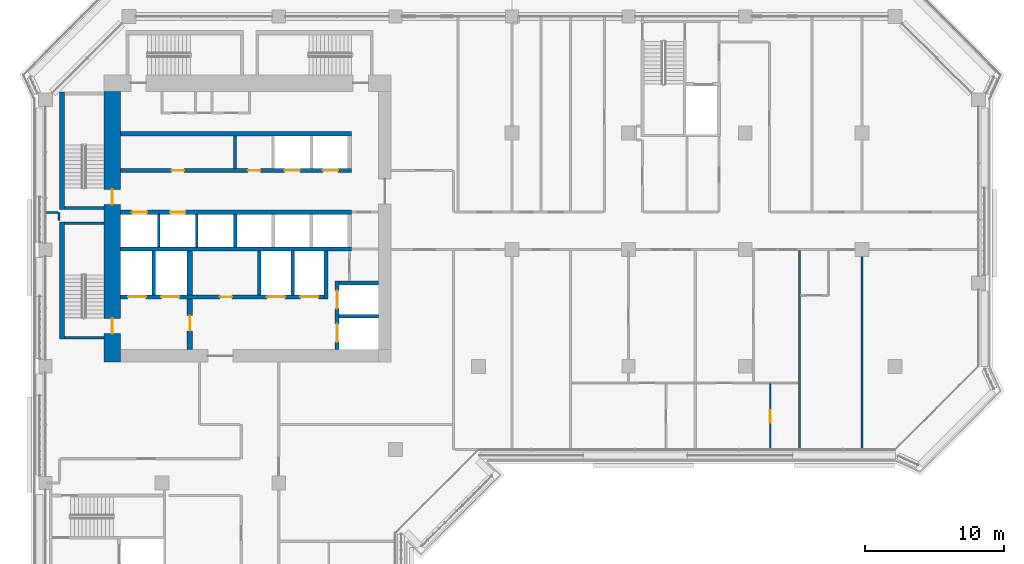
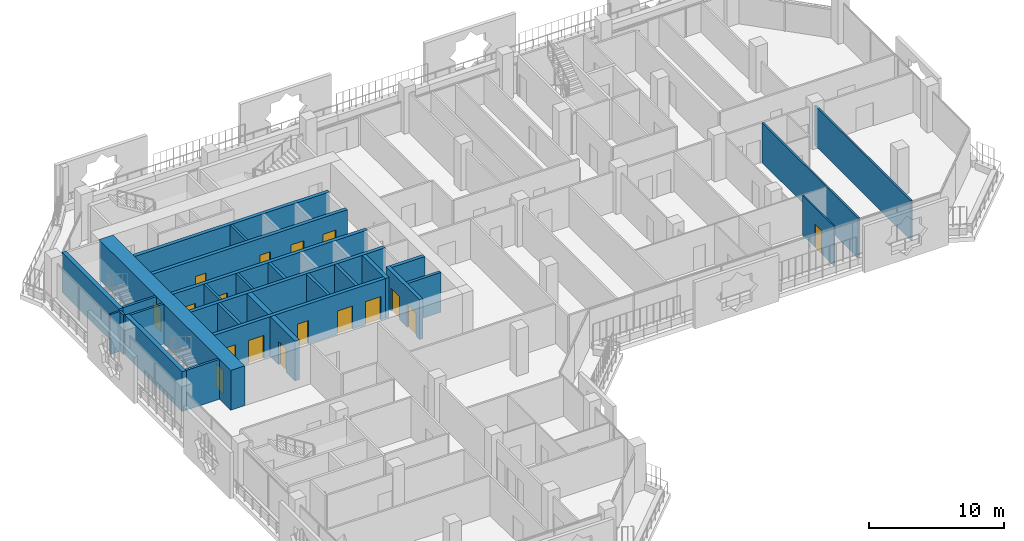
# One storey, part 11 of 22: 29 walls, 17 doors, 17 openings.
"""IFC4 building model written with IfcOpenShell, lengths in metres."""

from ifc_helpers import new_model, si_unit, direction, frame, frame_2d, origin, place, context, subcontext, project, spatial, rectangle, extrude, material, layer, layer_set, type_object, element, fill, save


model = new_model("IFC4")

# Units and contexts
model_context = context("Model", 3, precision=1e-05, world=origin(), true_north=direction((0.0, 1.0)))
body_context = subcontext(model_context, "Body", "Model", "MODEL_VIEW")
ifc_project = project(units=[si_unit("LENGTHUNIT", "METRE"), si_unit("AREAUNIT", "SQUARE_METRE"), si_unit("VOLUMEUNIT", "CUBIC_METRE"), si_unit("PLANEANGLEUNIT", "RADIAN"), si_unit("MASSUNIT", "GRAM", prefix="KILO")], contexts=[model_context])

# Site, building, storey
site_placement = place(None, origin())
site = spatial("IfcSite", under=ifc_project, at=site_placement, CompositionType="ELEMENT")
building_placement = place(site_placement, origin())
building = spatial("IfcBuilding", under=site, at=building_placement, Name="Kawkab Arch Medical Tower", CompositionType="ELEMENT")
storey_placement = place(building_placement, frame((0.0, 0.0, 204.60009765625)))
storey = spatial("IfcBuildingStorey", under=building, at=storey_placement, Name="L47", CompositionType="ELEMENT", Elevation=204.60009765625)

# Wall, openings, doors
ifc_material_1 = material(Name="Concrete C55/67", Category="concrete")
ifc_layer_1 = layer(ifc_material_1, 1.199951171875)
ifc_layer_set_1 = layer_set([ifc_layer_1], Name="Concrete C55/67")
wall_type_1 = type_object("IfcWallType", Name="Core ring wall 1200 C55/67", PredefinedType="SHEAR", material=ifc_layer_set_1)
wall_1_placement = place(storey_placement, frame((4.800048828125, -24.89990234375, 0.0), z_axis=(0.0, 0.0, 1.0), x_axis=(0.0, 1.0, 0.0)))
wall_1 = element("IfcWall", 1, at=wall_1_placement, inside=storey, type_object=wall_type_1, Name="L47 core wall", PredefinedType="SHEAR", context=body_context, shape_type="SweptSolid", body=[
    extrude(rectangle(XDim=19.5, YDim=1.199951171875, at=frame_2d((9.75, 0.0))), origin(), (0.0, 0.0, 1.0), 3.599853515625),
])
opening_1_placement = place(wall_1_placement, frame((11.35009765625, 0.0, 0.0)))
opening_1 = element("IfcOpeningElement", 2, at=opening_1_placement, cuts=wall_1, Name="Opening SD", PredefinedType="OPENING", context=body_context, shape_type="SweptSolid", body=[
    extrude(rectangle(XDim=1.10009765625, YDim=2.10009765625, at=frame_2d((0.550048828125, 1.050048828125))), frame((0.0, 0.60986328125, 0.0), z_axis=(0.0, -1.0, 0.0), x_axis=(1.0, 0.0, 0.0)), (0.0, 0.0, 1.0), 1.219970703125),
])
opening_2_placement = place(wall_1_placement, frame((2.050048828125, 0.0, 0.0)))
opening_2 = element("IfcOpeningElement", 3, at=opening_2_placement, cuts=wall_1, Name="Opening SD", PredefinedType="OPENING", context=body_context, shape_type="SweptSolid", body=[
    extrude(rectangle(XDim=1.10009765625, YDim=2.10009765625, at=frame_2d((0.550048828125, 1.050048828125))), frame((0.0, 0.60986328125, 0.0), z_axis=(0.0, -1.0, 0.0), x_axis=(1.0, 0.0, 0.0)), (0.0, 0.0, 1.0), 1.219970703125),
])
ifc_material_2 = material(Name="Hollow metal fire door leaf")
door_type_1 = type_object("IfcDoorType", Name="Exit stair door 1100", OperationType="SINGLE_SWING_LEFT", PredefinedType="DOOR", material=ifc_material_2)
door_1_placement = place(opening_1_placement, origin())
door_1 = element("IfcDoor", 4, at=door_1_placement, inside=storey, type_object=door_type_1, Name="L47 Exit stair ST1 door", OperationType="SINGLE_SWING_LEFT", OverallHeight=2.10009765625, OverallWidth=1.10009765625, PredefinedType="DOOR", context=body_context, shape_type="SweptSolid", body=[
    extrude(rectangle(XDim=1.10009765625, YDim=2.10009765625, at=frame_2d((0.550048828125, 1.050048828125))), frame((0.0, 0.02490234375, 0.0), z_axis=(0.0, -1.0, 0.0), x_axis=(1.0, 0.0, 0.0)), (0.0, 0.0, 1.0), 0.050048828125),
])
fill(opening_1, door_1)
door_2_placement = place(opening_2_placement, origin())
door_2 = element("IfcDoor", 5, at=door_2_placement, inside=storey, type_object=door_type_1, Name="L47 Exit stair ST2 door", OperationType="SINGLE_SWING_LEFT", OverallHeight=2.10009765625, OverallWidth=1.10009765625, PredefinedType="DOOR", context=body_context, shape_type="SweptSolid", body=[
    extrude(rectangle(XDim=1.10009765625, YDim=2.10009765625, at=frame_2d((0.550048828125, 1.050048828125))), frame((0.0, 0.02490234375, 0.0), z_axis=(0.0, -1.0, 0.0), x_axis=(1.0, 0.0, 0.0)), (0.0, 0.0, 1.0), 0.050048828125),
])
fill(opening_2, door_2)

# Walls
ifc_material_3 = material(Name="Concrete C60/75", Category="concrete")
ifc_layer_2 = layer(ifc_material_3, 0.25)
ifc_layer_set_2 = layer_set([ifc_layer_2], Name="Concrete C60/75")
wall_type_2 = type_object("IfcWallType", Name="Core shear wall 250 C60/75", PredefinedType="SHEAR", material=ifc_layer_set_2)
wall_2_placement = place(storey_placement, frame((21.14990234375, -21.60009765625, 0.0), z_axis=(0.0, 0.0, 1.0), x_axis=(1.0, 0.0, 0.0)))
element("IfcWall", 6, at=wall_2_placement, inside=storey, type_object=wall_type_2, Name="L47 core shear wall", PredefinedType="SHEAR", context=body_context, shape_type="SweptSolid", body=[
    extrude(rectangle(XDim=2.85009765625, YDim=0.25, at=frame_2d((1.425048828125, 0.0))), origin(), (0.0, 0.0, 1.0), 3.599853515625),
])
for number, where, z_axis, x_axis, name in (
    (7, (7.800048828125, -20.050048828125, 0.0), (0.0, 0.0, 1.0), (0.0, 1.0, 0.0), "L47 core shear wall"),
    (8, (15.39990234375, -20.050048828125, 0.0), (0.0, 0.0, 1.0), (0.0, 1.0, 0.0), "L47 core shear wall"),
    (9, (17.800048828125, -20.050048828125, 0.0), (0.0, 0.0, 1.0), (0.0, 1.0, 0.0), "L47 core shear wall"),
):
    element("IfcWall", number, at=place(storey_placement, frame(where, z_axis=z_axis, x_axis=x_axis)), inside=storey, type_object=wall_type_2, Name=name, PredefinedType="SHEAR", context=body_context, shape_type="SweptSolid", body=[
        extrude(rectangle(XDim=3.150146484375, YDim=0.25, at=frame_2d((1.5751953125, 0.0))), origin(), (0.0, 0.0, 1.0), 3.599853515625),
    ])
wall_3_placement = place(storey_placement, frame((13.64990234375, -16.60009765625, 0.0), z_axis=(0.0, 0.0, 1.0), x_axis=(0.0, 1.0, 0.0)))
element("IfcWall", 10, at=wall_3_placement, inside=storey, type_object=wall_type_2, Name="L47 core shear wall", PredefinedType="SHEAR", context=body_context, shape_type="SweptSolid", body=[
    extrude(rectangle(XDim=2.35009765625, YDim=0.25, at=frame_2d((1.175048828125, 0.0))), origin(), (0.0, 0.0, 1.0), 3.599853515625),
])
ifc_material_4 = material(Name="Concrete C60/75", Category="concrete")
ifc_layer_3 = layer(ifc_material_4, 0.300048828125)
ifc_layer_set_3 = layer_set([ifc_layer_3], Name="Concrete C60/75")
wall_type_3 = type_object("IfcWallType", Name="Core shear wall 300 C60/75", PredefinedType="SHEAR", material=ifc_layer_set_3)
wall_4_placement = place(storey_placement, frame((5.39990234375, -8.449951171875, 0.0), z_axis=(0.0, 0.0, 1.0), x_axis=(1.0, 0.0, 0.0)))
element("IfcWall", 11, at=wall_4_placement, inside=storey, type_object=wall_type_3, Name="L47 core shear wall", PredefinedType="SHEAR", context=body_context, shape_type="SweptSolid", body=[
    extrude(rectangle(XDim=16.650146484375, YDim=0.300048828125, at=frame_2d((8.3251953125, 0.0))), origin(), (0.0, 0.0, 1.0), 3.599853515625),
])

# Wall, openings, doors
wall_5_placement = place(storey_placement, frame((5.39990234375, -11.10009765625, 0.0), z_axis=(0.0, 0.0, 1.0), x_axis=(1.0, 0.0, 0.0)))
wall_5 = element("IfcWall", 12, at=wall_5_placement, inside=storey, type_object=wall_type_3, Name="L47 core shear wall", PredefinedType="SHEAR", context=body_context, shape_type="SweptSolid", body=[
    extrude(rectangle(XDim=16.650146484375, YDim=0.300048828125, at=frame_2d((8.3251953125, 0.0))), origin(), (0.0, 0.0, 1.0), 3.599853515625),
])
opening_3_placement = place(wall_5_placement, frame((11.824951171875, 0.0, 0.0)))
opening_3 = element("IfcOpeningElement", 13, at=opening_3_placement, cuts=wall_5, Name="Opening LD1", PredefinedType="OPENING", context=body_context, shape_type="SweptSolid", body=[
    extrude(rectangle(XDim=1.10009765625, YDim=2.10009765625, at=frame_2d((0.550048828125, 1.050048828125))), frame((0.0, 0.159912109375, 0.0), z_axis=(0.0, -1.0, 0.0), x_axis=(1.0, 0.0, 0.0)), (0.0, 0.0, 1.0), 0.320068359375),
])
opening_4_placement = place(wall_5_placement, frame((14.574951171875, 0.0, 0.0)))
opening_4 = element("IfcOpeningElement", 14, at=opening_4_placement, cuts=wall_5, Name="Opening LD1", PredefinedType="OPENING", context=body_context, shape_type="SweptSolid", body=[
    extrude(rectangle(XDim=1.10009765625, YDim=2.10009765625, at=frame_2d((0.550048828125, 1.050048828125))), frame((0.0, 0.159912109375, 0.0), z_axis=(0.0, -1.0, 0.0), x_axis=(1.0, 0.0, 0.0)), (0.0, 0.0, 1.0), 0.320068359375),
])
opening_5_placement = place(wall_5_placement, frame((3.675048828125, 0.0, 0.0)))
opening_5 = element("IfcOpeningElement", 15, at=opening_5_placement, cuts=wall_5, Name="Opening RD", PredefinedType="OPENING", context=body_context, shape_type="SweptSolid", body=[
    extrude(rectangle(XDim=0.89990234375, YDim=2.10009765625, at=frame_2d((0.449951171875, 1.050048828125))), frame((0.0, 0.159912109375, 0.0), z_axis=(0.0, -1.0, 0.0), x_axis=(1.0, 0.0, 0.0)), (0.0, 0.0, 1.0), 0.320068359375),
])
opening_6_placement = place(wall_5_placement, frame((9.175048828125, 0.0, 0.0)))
opening_6 = element("IfcOpeningElement", 16, at=opening_6_placement, cuts=wall_5, Name="Opening RD", PredefinedType="OPENING", context=body_context, shape_type="SweptSolid", body=[
    extrude(rectangle(XDim=0.89990234375, YDim=2.10009765625, at=frame_2d((0.449951171875, 1.050048828125))), frame((0.0, 0.159912109375, 0.0), z_axis=(0.0, -1.0, 0.0), x_axis=(1.0, 0.0, 0.0)), (0.0, 0.0, 1.0), 0.320068359375),
])
ifc_material_5 = material(Name="Hollow metal fire door leaf")
door_type_2 = type_object("IfcDoorType", Name="Core room door 900", OperationType="SINGLE_SWING_LEFT", PredefinedType="DOOR", material=ifc_material_5)
door_3_placement = place(opening_5_placement, origin())
door_3 = element("IfcDoor", 17, at=door_3_placement, inside=storey, type_object=door_type_2, Name="L47 Clean utility room door", OperationType="SINGLE_SWING_LEFT", OverallHeight=2.10009765625, OverallWidth=0.89990234375, PredefinedType="DOOR", context=body_context, shape_type="SweptSolid", body=[
    extrude(rectangle(XDim=0.89990234375, YDim=2.10009765625, at=frame_2d((0.449951171875, 1.050048828125))), frame((0.0, 0.02490234375, 0.0), z_axis=(0.0, -1.0, 0.0), x_axis=(1.0, 0.0, 0.0)), (0.0, 0.0, 1.0), 0.050048828125),
])
fill(opening_5, door_3)
door_4_placement = place(opening_6_placement, origin())
door_4 = element("IfcDoor", 18, at=door_4_placement, inside=storey, type_object=door_type_2, Name="L47 General store door", OperationType="SINGLE_SWING_LEFT", OverallHeight=2.10009765625, OverallWidth=0.89990234375, PredefinedType="DOOR", context=body_context, shape_type="SweptSolid", body=[
    extrude(rectangle(XDim=0.89990234375, YDim=2.10009765625, at=frame_2d((0.449951171875, 1.050048828125))), frame((0.0, 0.02490234375, 0.0), z_axis=(0.0, -1.0, 0.0), x_axis=(1.0, 0.0, 0.0)), (0.0, 0.0, 1.0), 0.050048828125),
])
fill(opening_6, door_4)
ifc_material_6 = material(Name="Stainless steel lift door leaf", Category="steel")
door_type_3 = type_object("IfcDoorType", Name="Lift landing door 1100", OperationType="DOUBLE_DOOR_SLIDING", PredefinedType="DOOR", material=ifc_material_6)
door_5_placement = place(opening_3_placement, origin())
door_5 = element("IfcDoor", 19, at=door_5_placement, inside=storey, type_object=door_type_3, Name="L47 Lift landing door MP1", OperationType="DOUBLE_DOOR_SLIDING", OverallHeight=2.10009765625, OverallWidth=1.10009765625, PredefinedType="DOOR", context=body_context, shape_type="SweptSolid", body=[
    extrude(rectangle(XDim=1.10009765625, YDim=2.10009765625, at=frame_2d((0.550048828125, 1.050048828125))), frame((0.0, 0.02490234375, 0.0), z_axis=(0.0, -1.0, 0.0), x_axis=(1.0, 0.0, 0.0)), (0.0, 0.0, 1.0), 0.050048828125),
])
fill(opening_3, door_5)
door_6_placement = place(opening_4_placement, origin())
door_6 = element("IfcDoor", 20, at=door_6_placement, inside=storey, type_object=door_type_3, Name="L47 Lift landing door MP2", OperationType="DOUBLE_DOOR_SLIDING", OverallHeight=2.10009765625, OverallWidth=1.10009765625, PredefinedType="DOOR", context=body_context, shape_type="SweptSolid", body=[
    extrude(rectangle(XDim=1.10009765625, YDim=2.10009765625, at=frame_2d((0.550048828125, 1.050048828125))), frame((0.0, 0.02490234375, 0.0), z_axis=(0.0, -1.0, 0.0), x_axis=(1.0, 0.0, 0.0)), (0.0, 0.0, 1.0), 0.050048828125),
])
fill(opening_4, door_6)

wall_6_placement = place(storey_placement, frame((5.39990234375, -14.10009765625, 0.0), z_axis=(0.0, 0.0, 1.0), x_axis=(1.0, 0.0, 0.0)))
wall_6 = element("IfcWall", 21, at=wall_6_placement, inside=storey, type_object=wall_type_3, Name="L47 core shear wall", PredefinedType="SHEAR", context=body_context, shape_type="SweptSolid", body=[
    extrude(rectangle(XDim=16.650146484375, YDim=0.300048828125, at=frame_2d((8.3251953125, 0.0))), origin(), (0.0, 0.0, 1.0), 3.599853515625),
])
opening_7_placement = place(wall_6_placement, frame((0.824951171875, 0.0, 0.0)))
opening_7 = element("IfcOpeningElement", 22, at=opening_7_placement, cuts=wall_6, Name="Opening LD1", PredefinedType="OPENING", context=body_context, shape_type="SweptSolid", body=[
    extrude(rectangle(XDim=1.10009765625, YDim=2.10009765625, at=frame_2d((0.550048828125, 1.050048828125))), frame((0.0, 0.159912109375, 0.0), z_axis=(0.0, -1.0, 0.0), x_axis=(1.0, 0.0, 0.0)), (0.0, 0.0, 1.0), 0.320068359375),
])
opening_8_placement = place(wall_6_placement, frame((3.574951171875, 0.0, 0.0)))
opening_8 = element("IfcOpeningElement", 23, at=opening_8_placement, cuts=wall_6, Name="Opening LD1", PredefinedType="OPENING", context=body_context, shape_type="SweptSolid", body=[
    extrude(rectangle(XDim=1.10009765625, YDim=2.10009765625, at=frame_2d((0.550048828125, 1.050048828125))), frame((0.0, 0.159912109375, 0.0), z_axis=(0.0, -1.0, 0.0), x_axis=(1.0, 0.0, 0.0)), (0.0, 0.0, 1.0), 0.320068359375),
])
door_7_placement = place(opening_7_placement, origin())
door_7 = element("IfcDoor", 24, at=door_7_placement, inside=storey, type_object=door_type_3, Name="L47 Lift landing door MP3", OperationType="DOUBLE_DOOR_SLIDING", OverallHeight=2.10009765625, OverallWidth=1.10009765625, PredefinedType="DOOR", context=body_context, shape_type="SweptSolid", body=[
    extrude(rectangle(XDim=1.10009765625, YDim=2.10009765625, at=frame_2d((0.550048828125, 1.050048828125))), frame((0.0, 0.02490234375, 0.0), z_axis=(0.0, -1.0, 0.0), x_axis=(1.0, 0.0, 0.0)), (0.0, 0.0, 1.0), 0.050048828125),
])
fill(opening_7, door_7)
door_8_placement = place(opening_8_placement, origin())
door_8 = element("IfcDoor", 25, at=door_8_placement, inside=storey, type_object=door_type_3, Name="L47 Lift landing door MP4", OperationType="DOUBLE_DOOR_SLIDING", OverallHeight=2.10009765625, OverallWidth=1.10009765625, PredefinedType="DOOR", context=body_context, shape_type="SweptSolid", body=[
    extrude(rectangle(XDim=1.10009765625, YDim=2.10009765625, at=frame_2d((0.550048828125, 1.050048828125))), frame((0.0, 0.02490234375, 0.0), z_axis=(0.0, -1.0, 0.0), x_axis=(1.0, 0.0, 0.0)), (0.0, 0.0, 1.0), 0.050048828125),
])
fill(opening_8, door_8)

# Wall
wall_7_placement = place(storey_placement, frame((5.39990234375, -16.75, 0.0), z_axis=(0.0, 0.0, 1.0), x_axis=(1.0, 0.0, 0.0)))
element("IfcWall", 26, at=wall_7_placement, inside=storey, type_object=wall_type_3, Name="L47 core shear wall", PredefinedType="SHEAR", context=body_context, shape_type="SweptSolid", body=[
    extrude(rectangle(XDim=16.650146484375, YDim=0.300048828125, at=frame_2d((8.3251953125, 0.0))), origin(), (0.0, 0.0, 1.0), 3.599853515625),
])

# Wall, openings, doors
wall_8_placement = place(storey_placement, frame((5.39990234375, -20.199951171875, 0.0), z_axis=(0.0, 0.0, 1.0), x_axis=(1.0, 0.0, 0.0)))
wall_8 = element("IfcWall", 27, at=wall_8_placement, inside=storey, type_object=wall_type_3, Name="L47 core shear wall", PredefinedType="SHEAR", context=body_context, shape_type="SweptSolid", body=[
    extrude(rectangle(XDim=14.650146484375, YDim=0.300048828125, at=frame_2d((7.3251953125, 0.0))), origin(), (0.0, 0.0, 1.0), 3.599853515625),
])
opening_9_placement = place(wall_8_placement, frame((10.550048828125, 0.0, 0.0)))
opening_9 = element("IfcOpeningElement", 28, at=opening_9_placement, cuts=wall_8, Name="Opening LD2", PredefinedType="OPENING", context=body_context, shape_type="SweptSolid", body=[
    extrude(rectangle(XDim=1.300048828125, YDim=2.10009765625, at=frame_2d((0.64990234375, 1.050048828125))), frame((0.0, 0.159912109375, 0.0), z_axis=(0.0, -1.0, 0.0), x_axis=(1.0, 0.0, 0.0)), (0.0, 0.0, 1.0), 0.320068359375),
])
opening_10_placement = place(wall_8_placement, frame((12.949951171875, 0.0, 0.0)))
opening_10 = element("IfcOpeningElement", 29, at=opening_10_placement, cuts=wall_8, Name="Opening LD2", PredefinedType="OPENING", context=body_context, shape_type="SweptSolid", body=[
    extrude(rectangle(XDim=1.300048828125, YDim=2.10009765625, at=frame_2d((0.64990234375, 1.050048828125))), frame((0.0, 0.159912109375, 0.0), z_axis=(0.0, -1.0, 0.0), x_axis=(1.0, 0.0, 0.0)), (0.0, 0.0, 1.0), 0.320068359375),
])
opening_11_placement = place(wall_8_placement, frame((0.550048828125, 0.0, 0.0)))
opening_11 = element("IfcOpeningElement", 30, at=opening_11_placement, cuts=wall_8, Name="Opening LD2", PredefinedType="OPENING", context=body_context, shape_type="SweptSolid", body=[
    extrude(rectangle(XDim=1.300048828125, YDim=2.10009765625, at=frame_2d((0.64990234375, 1.050048828125))), frame((0.0, 0.159912109375, 0.0), z_axis=(0.0, -1.0, 0.0), x_axis=(1.0, 0.0, 0.0)), (0.0, 0.0, 1.0), 0.320068359375),
])
opening_12_placement = place(wall_8_placement, frame((2.949951171875, 0.0, 0.0)))
opening_12 = element("IfcOpeningElement", 31, at=opening_12_placement, cuts=wall_8, Name="Opening LD2", PredefinedType="OPENING", context=body_context, shape_type="SweptSolid", body=[
    extrude(rectangle(XDim=1.300048828125, YDim=2.10009765625, at=frame_2d((0.64990234375, 1.050048828125))), frame((0.0, 0.159912109375, 0.0), z_axis=(0.0, -1.0, 0.0), x_axis=(1.0, 0.0, 0.0)), (0.0, 0.0, 1.0), 0.320068359375),
])
opening_13_placement = place(wall_8_placement, frame((7.14990234375, 0.0, 0.0)))
opening_13 = element("IfcOpeningElement", 32, at=opening_13_placement, cuts=wall_8, Name="Opening RD", PredefinedType="OPENING", context=body_context, shape_type="SweptSolid", body=[
    extrude(rectangle(XDim=0.89990234375, YDim=2.10009765625, at=frame_2d((0.449951171875, 1.050048828125))), frame((0.0, 0.159912109375, 0.0), z_axis=(0.0, -1.0, 0.0), x_axis=(1.0, 0.0, 0.0)), (0.0, 0.0, 1.0), 0.320068359375),
])
door_9_placement = place(opening_13_placement, origin())
door_9 = element("IfcDoor", 33, at=door_9_placement, inside=storey, type_object=door_type_2, Name="L47 Linen store door", OperationType="SINGLE_SWING_LEFT", OverallHeight=2.10009765625, OverallWidth=0.89990234375, PredefinedType="DOOR", context=body_context, shape_type="SweptSolid", body=[
    extrude(rectangle(XDim=0.89990234375, YDim=2.10009765625, at=frame_2d((0.449951171875, 1.050048828125))), frame((0.0, 0.02490234375, 0.0), z_axis=(0.0, -1.0, 0.0), x_axis=(1.0, 0.0, 0.0)), (0.0, 0.0, 1.0), 0.050048828125),
])
fill(opening_13, door_9)
ifc_material_7 = material(Name="Stainless steel lift door leaf", Category="steel")
door_type_4 = type_object("IfcDoorType", Name="Lift landing door 1300", OperationType="DOUBLE_DOOR_SLIDING", PredefinedType="DOOR", material=ifc_material_7)
door_10_placement = place(opening_9_placement, origin())
door_10 = element("IfcDoor", 34, at=door_10_placement, inside=storey, type_object=door_type_4, Name="L47 Lift landing door BD3", OperationType="DOUBLE_DOOR_SLIDING", OverallHeight=2.10009765625, OverallWidth=1.300048828125, PredefinedType="DOOR", context=body_context, shape_type="SweptSolid", body=[
    extrude(rectangle(XDim=1.300048828125, YDim=2.10009765625, at=frame_2d((0.64990234375, 1.050048828125))), frame((0.0, 0.02490234375, 0.0), z_axis=(0.0, -1.0, 0.0), x_axis=(1.0, 0.0, 0.0)), (0.0, 0.0, 1.0), 0.050048828125),
])
fill(opening_9, door_10)
door_11_placement = place(opening_10_placement, origin())
door_11 = element("IfcDoor", 35, at=door_11_placement, inside=storey, type_object=door_type_4, Name="L47 Lift landing door BD4", OperationType="DOUBLE_DOOR_SLIDING", OverallHeight=2.10009765625, OverallWidth=1.300048828125, PredefinedType="DOOR", context=body_context, shape_type="SweptSolid", body=[
    extrude(rectangle(XDim=1.300048828125, YDim=2.10009765625, at=frame_2d((0.64990234375, 1.050048828125))), frame((0.0, 0.02490234375, 0.0), z_axis=(0.0, -1.0, 0.0), x_axis=(1.0, 0.0, 0.0)), (0.0, 0.0, 1.0), 0.050048828125),
])
fill(opening_10, door_11)
door_12_placement = place(opening_11_placement, origin())
door_12 = element("IfcDoor", 36, at=door_12_placement, inside=storey, type_object=door_type_4, Name="L47 Lift landing door FL1", OperationType="DOUBLE_DOOR_SLIDING", OverallHeight=2.10009765625, OverallWidth=1.300048828125, PredefinedType="DOOR", context=body_context, shape_type="SweptSolid", body=[
    extrude(rectangle(XDim=1.300048828125, YDim=2.10009765625, at=frame_2d((0.64990234375, 1.050048828125))), frame((0.0, 0.02490234375, 0.0), z_axis=(0.0, -1.0, 0.0), x_axis=(1.0, 0.0, 0.0)), (0.0, 0.0, 1.0), 0.050048828125),
])
fill(opening_11, door_12)
door_13_placement = place(opening_12_placement, origin())
door_13 = element("IfcDoor", 37, at=door_13_placement, inside=storey, type_object=door_type_4, Name="L47 Lift landing door FL2", OperationType="DOUBLE_DOOR_SLIDING", OverallHeight=2.10009765625, OverallWidth=1.300048828125, PredefinedType="DOOR", context=body_context, shape_type="SweptSolid", body=[
    extrude(rectangle(XDim=1.300048828125, YDim=2.10009765625, at=frame_2d((0.64990234375, 1.050048828125))), frame((0.0, 0.02490234375, 0.0), z_axis=(0.0, -1.0, 0.0), x_axis=(1.0, 0.0, 0.0)), (0.0, 0.0, 1.0), 0.050048828125),
])
fill(opening_12, door_13)

# Walls
wall_9_placement = place(storey_placement, frame((20.199951171875, -20.35009765625, 0.0), z_axis=(0.0, 0.0, 1.0), x_axis=(0.0, 1.0, 0.0)))
element("IfcWall", 38, at=wall_9_placement, inside=storey, type_object=wall_type_3, Name="L47 core shear wall", PredefinedType="SHEAR", context=body_context, shape_type="SweptSolid", body=[
    extrude(rectangle(XDim=3.4501953125, YDim=0.300048828125, at=frame_2d((1.72509765625, 0.0))), origin(), (0.0, 0.0, 1.0), 3.599853515625),
])
wall_10_placement = place(storey_placement, frame((21.14990234375, -19.199951171875, 0.0), z_axis=(0.0, 0.0, 1.0), x_axis=(1.0, 0.0, 0.0)))
element("IfcWall", 39, at=wall_10_placement, inside=storey, type_object=wall_type_3, Name="L47 core shear wall", PredefinedType="SHEAR", context=body_context, shape_type="SweptSolid", body=[
    extrude(rectangle(XDim=2.85009765625, YDim=0.300048828125, at=frame_2d((1.425048828125, 0.0))), origin(), (0.0, 0.0, 1.0), 3.599853515625),
])

# Wall, openings, doors
wall_11_placement = place(storey_placement, frame((21.0, -24.0, 0.0), z_axis=(0.0, 0.0, 1.0), x_axis=(0.0, 1.0, 0.0)))
wall_11 = element("IfcWall", 40, at=wall_11_placement, inside=storey, type_object=wall_type_3, Name="L47 core shear wall", PredefinedType="SHEAR", context=body_context, shape_type="SweptSolid", body=[
    extrude(rectangle(XDim=4.949951171875, YDim=0.300048828125, at=frame_2d((2.47509765625, 0.0))), origin(), (0.0, 0.0, 1.0), 3.599853515625),
])
opening_14_placement = place(wall_11_placement, frame((2.949951171875, 0.0, 0.0)))
opening_14 = element("IfcOpeningElement", 41, at=opening_14_placement, cuts=wall_11, Name="Opening LD2", PredefinedType="OPENING", context=body_context, shape_type="SweptSolid", body=[
    extrude(rectangle(XDim=1.300048828125, YDim=2.10009765625, at=frame_2d((0.64990234375, 1.050048828125))), frame((0.0, 0.159912109375, 0.0), z_axis=(0.0, -1.0, 0.0), x_axis=(1.0, 0.0, 0.0)), (0.0, 0.0, 1.0), 0.320068359375),
])
opening_15_placement = place(wall_11_placement, frame((0.550048828125, 0.0, 0.0)))
opening_15 = element("IfcOpeningElement", 42, at=opening_15_placement, cuts=wall_11, Name="Opening LD2", PredefinedType="OPENING", context=body_context, shape_type="SweptSolid", body=[
    extrude(rectangle(XDim=1.300048828125, YDim=2.10009765625, at=frame_2d((0.64990234375, 1.050048828125))), frame((0.0, 0.159912109375, 0.0), z_axis=(0.0, -1.0, 0.0), x_axis=(1.0, 0.0, 0.0)), (0.0, 0.0, 1.0), 0.320068359375),
])
door_14_placement = place(opening_14_placement, origin())
door_14 = element("IfcDoor", 43, at=door_14_placement, inside=storey, type_object=door_type_4, Name="L47 Lift landing door BD1", OperationType="DOUBLE_DOOR_SLIDING", OverallHeight=2.10009765625, OverallWidth=1.300048828125, PredefinedType="DOOR", context=body_context, shape_type="SweptSolid", body=[
    extrude(rectangle(XDim=1.300048828125, YDim=2.10009765625, at=frame_2d((0.64990234375, 1.050048828125))), frame((0.0, 0.02490234375, 0.0), z_axis=(0.0, -1.0, 0.0), x_axis=(1.0, 0.0, 0.0)), (0.0, 0.0, 1.0), 0.050048828125),
])
fill(opening_14, door_14)
door_15_placement = place(opening_15_placement, origin())
door_15 = element("IfcDoor", 44, at=door_15_placement, inside=storey, type_object=door_type_4, Name="L47 Lift landing door BD2", OperationType="DOUBLE_DOOR_SLIDING", OverallHeight=2.10009765625, OverallWidth=1.300048828125, PredefinedType="DOOR", context=body_context, shape_type="SweptSolid", body=[
    extrude(rectangle(XDim=1.300048828125, YDim=2.10009765625, at=frame_2d((0.64990234375, 1.050048828125))), frame((0.0, 0.02490234375, 0.0), z_axis=(0.0, -1.0, 0.0), x_axis=(1.0, 0.0, 0.0)), (0.0, 0.0, 1.0), 0.050048828125),
])
fill(opening_15, door_15)

# Wall, opening, door
ifc_material_8 = material(Name="Concrete C60/75", Category="concrete")
ifc_layer_4 = layer(ifc_material_8, 0.39990234375)
ifc_layer_set_4 = layer_set([ifc_layer_4], Name="Concrete C60/75")
wall_type_4 = type_object("IfcWallType", Name="Core shear wall 400 C60/75", PredefinedType="SHEAR", material=ifc_layer_set_4)
wall_12_placement = place(storey_placement, frame((10.39990234375, -24.0, 0.0), z_axis=(0.0, 0.0, 1.0), x_axis=(0.0, 1.0, 0.0)))
wall_12 = element("IfcWall", 45, at=wall_12_placement, inside=storey, type_object=wall_type_4, Name="L47 core shear wall", PredefinedType="SHEAR", context=body_context, shape_type="SweptSolid", body=[
    extrude(rectangle(XDim=3.64990234375, YDim=0.39990234375, at=frame_2d((1.824951171875, 0.0))), origin(), (0.0, 0.0, 1.0), 3.599853515625),
])
opening_16_placement = place(wall_12_placement, frame((1.35009765625, 0.0, 0.0)))
opening_16 = element("IfcOpeningElement", 46, at=opening_16_placement, cuts=wall_12, Name="Opening FD", PredefinedType="OPENING", context=body_context, shape_type="SweptSolid", body=[
    extrude(rectangle(XDim=1.10009765625, YDim=2.10009765625, at=frame_2d((0.550048828125, 1.050048828125))), frame((0.0, 0.2099609375, 0.0), z_axis=(0.0, -1.0, 0.0), x_axis=(1.0, 0.0, 0.0)), (0.0, 0.0, 1.0), 0.419921875),
])
ifc_material_9 = material(Name="Hollow metal fire door leaf")
door_type_5 = type_object("IfcDoorType", Name="Firefighting lobby door 1100", OperationType="SINGLE_SWING_LEFT", PredefinedType="DOOR", material=ifc_material_9)
door_16_placement = place(opening_16_placement, origin())
door_16 = element("IfcDoor", 47, at=door_16_placement, inside=storey, type_object=door_type_5, Name="L47 Firefighting lobby door", OperationType="SINGLE_SWING_LEFT", OverallHeight=2.10009765625, OverallWidth=1.10009765625, PredefinedType="DOOR", context=body_context, shape_type="SweptSolid", body=[
    extrude(rectangle(XDim=1.10009765625, YDim=2.10009765625, at=frame_2d((0.550048828125, 1.050048828125))), frame((0.0, 0.02490234375, 0.0), z_axis=(0.0, -1.0, 0.0), x_axis=(1.0, 0.0, 0.0)), (0.0, 0.0, 1.0), 0.050048828125),
])
fill(opening_16, door_16)

# Walls
wall_13_placement = place(storey_placement, frame((10.39990234375, -20.050048828125, 0.0), z_axis=(0.0, 0.0, 1.0), x_axis=(0.0, 1.0, 0.0)))
element("IfcWall", 48, at=wall_13_placement, inside=storey, type_object=wall_type_4, Name="L47 core shear wall", PredefinedType="SHEAR", context=body_context, shape_type="SweptSolid", body=[
    extrude(rectangle(XDim=3.150146484375, YDim=0.39990234375, at=frame_2d((1.5751953125, 0.0))), origin(), (0.0, 0.0, 1.0), 3.599853515625),
])
ifc_material_10 = material(Name="Dense concrete blockwork", Category="masonry")
ifc_layer_5 = layer(ifc_material_10, 0.199951171875)
ifc_layer_set_5 = layer_set([ifc_layer_5], Name="Dense concrete blockwork")
wall_type_5 = type_object("IfcWallType", Name="Lift shaft partition 200", PredefinedType="PARTITIONING", material=ifc_layer_set_5)
wall_14_placement = place(storey_placement, frame((13.64990234375, -10.949951171875, 0.0), z_axis=(0.0, 0.0, 1.0), x_axis=(0.0, 1.0, 0.0)))
element("IfcWall", 49, at=wall_14_placement, inside=storey, type_object=wall_type_5, Name="L47 lift shaft partition", PredefinedType="PARTITIONING", context=body_context, shape_type="SweptSolid", body=[
    extrude(rectangle(XDim=2.349853515625, YDim=0.199951171875, at=frame_2d((1.1748046875, 0.0))), origin(), (0.0, 0.0, 1.0), 3.599853515625),
])
for number, where, z_axis, x_axis, name in (
    (50, (8.14990234375, -16.60009765625, 0.0), (0.0, 0.0, 1.0), (0.0, 1.0, 0.0), "L47 lift shaft partition"),
    (51, (10.89990234375, -16.60009765625, 0.0), (0.0, 0.0, 1.0), (0.0, 1.0, 0.0), "L47 lift shaft partition"),
):
    element("IfcWall", number, at=place(storey_placement, frame(where, z_axis=z_axis, x_axis=x_axis)), inside=storey, type_object=wall_type_5, Name=name, PredefinedType="PARTITIONING", context=body_context, shape_type="SweptSolid", body=[
        extrude(rectangle(XDim=2.35009765625, YDim=0.199951171875, at=frame_2d((1.175048828125, 0.0))), origin(), (0.0, 0.0, 1.0), 3.599853515625),
    ])

# Wall, opening, door
ifc_material_11 = material(Name="Gypsum board partition on steel studs", Category="steel")
ifc_layer_6 = layer(ifc_material_11, 0.10009765625)
ifc_layer_set_6 = layer_set([ifc_layer_6], Name="Gypsum board partition on steel studs")
wall_type_6 = type_object("IfcWallType", Name="Partition 100", PredefinedType="PARTITIONING", material=ifc_layer_set_6)
wall_15_placement = place(storey_placement, frame((52.199951171875, -31.1201171875, 0.0), z_axis=(0.0, 0.0, 1.0), x_axis=(0.0, 1.0, 0.0)))
wall_15 = element("IfcWall", 52, at=wall_15_placement, inside=storey, type_object=wall_type_6, Name="Partition 100 w009", PredefinedType="PARTITIONING", context=body_context, shape_type="SweptSolid", body=[
    extrude(rectangle(XDim=4.670166015625, YDim=0.10009765625, at=frame_2d((2.3349609375, 0.0))), origin(), (0.0, 0.0, 1.0), 3.599853515625),
])
opening_17_placement = place(wall_15_placement, frame((1.8701171875, 0.0, 0.0)))
opening_17 = element("IfcOpeningElement", 53, at=opening_17_placement, cuts=wall_15, Name="Opening W42-007", PredefinedType="OPENING", context=body_context, shape_type="SweptSolid", body=[
    extrude(rectangle(XDim=0.89990234375, YDim=2.10009765625, at=frame_2d((0.449951171875, 1.050048828125))), frame((0.0, 0.06005859375, 0.0), z_axis=(0.0, -1.0, 0.0), x_axis=(1.0, 0.0, 0.0)), (0.0, 0.0, 1.0), 0.1201171875),
])
ifc_material_12 = material(Name="Timber door leaf", Category="wood")
door_type_6 = type_object("IfcDoorType", Name="Single door 900x2100", OperationType="NOTDEFINED", PredefinedType="DOOR", material=ifc_material_12)
door_17_placement = place(opening_17_placement, origin())
door_17 = element("IfcDoor", 54, at=door_17_placement, inside=storey, type_object=door_type_6, Name="Door W42-007", OperationType="SINGLE_SWING_LEFT", OverallHeight=2.10009765625, OverallWidth=0.89990234375, PredefinedType="DOOR", context=body_context, shape_type="SweptSolid", body=[
    extrude(rectangle(XDim=0.89990234375, YDim=2.10009765625, at=frame_2d((0.449951171875, 1.050048828125))), frame((0.0, 0.02490234375, 0.0), z_axis=(0.0, -1.0, 0.0), x_axis=(1.0, 0.0, 0.0)), (0.0, 0.0, 1.0), 0.050048828125),
])
fill(opening_17, door_17)

# Walls
ifc_material_13 = material(Name="Gypsum board partition on steel studs, mineral wool", Category="steel")
ifc_layer_7 = layer(ifc_material_13, 0.14990234375)
ifc_layer_set_7 = layer_set([ifc_layer_7], Name="Gypsum board partition on steel studs, mineral wool")
wall_type_7 = type_object("IfcWallType", Name="Partition 150", PredefinedType="PARTITIONING", material=ifc_layer_set_7)
wall_16_placement = place(storey_placement, frame((0.080078125, -14.1201171875, 0.0), z_axis=(0.0, 0.0, 1.0), x_axis=(1.0, 0.0, 0.0)))
element("IfcWall", 55, at=wall_16_placement, inside=storey, type_object=wall_type_7, Name="Partition 150 w023", PredefinedType="PARTITIONING", context=body_context, shape_type="SweptSolid", body=[
    extrude(rectangle(XDim=0.823974609375, YDim=0.14990234375, at=frame_2d((0.412109375, 0.0))), origin(), (0.0, 0.0, 1.0), 3.599853515625),
])
wall_17_placement = place(storey_placement, frame((0.97998046875, -14.699951171875, 0.0), z_axis=(0.0, 0.0, 1.0), x_axis=(0.0, 1.0, 0.0)))
element("IfcWall", 56, at=wall_17_placement, inside=storey, type_object=wall_type_7, Name="Partition 150 w032", PredefinedType="PARTITIONING", context=body_context, shape_type="SweptSolid", body=[
    extrude(rectangle(XDim=0.577880859375, YDim=0.14990234375, at=frame_2d((0.2890625, 0.0))), origin(), (0.0, 0.0, 1.0), 3.599853515625),
])
for number, where, z_axis, x_axis, name in (
    (57, (54.300048828125, -31.1201171875, 0.0), (0.0, 0.0, 1.0), (0.0, 1.0, 0.0), "Partition 150 w058"),
    (58, (58.800048828125, -31.1201171875, 0.0), (0.0, 0.0, 1.0), (0.0, 1.0, 0.0), "Partition 150 w060"),
):
    element("IfcWall", number, at=place(storey_placement, frame(where, z_axis=z_axis, x_axis=x_axis)), inside=storey, type_object=wall_type_7, Name=name, PredefinedType="PARTITIONING", context=body_context, shape_type="SweptSolid", body=[
        extrude(rectangle(XDim=14.2451171875, YDim=0.14990234375, at=frame_2d((7.12255859375, 0.0))), origin(), (0.0, 0.0, 1.0), 3.599853515625),
    ])
ifc_material_14 = material(Name="Concrete C50/60", Category="concrete")
ifc_layer_8 = layer(ifc_material_14, 0.199951171875)
ifc_layer_set_8 = layer_set([ifc_layer_8], Name="Concrete C50/60")
wall_type_8 = type_object("IfcWallType", Name="Stair enclosure wall 200 C50/60", PredefinedType="SHEAR", material=ifc_layer_set_8)
for number, where, z_axis, x_axis, name in (
    (59, (1.35009765625, -13.800048828125, 0.0), (0.0, 0.0, 1.0), (1.0, 0.0, 0.0), "L47 stair enclosure wall"),
    (60, (1.35009765625, -14.89990234375, 0.0), (0.0, 0.0, 1.0), (1.0, 0.0, 0.0), "L47 stair enclosure wall"),
    (61, (1.35009765625, -23.14990234375, 0.0), (0.0, 0.0, 1.0), (1.0, 0.0, 0.0), "L47 stair enclosure wall"),
):
    element("IfcWall", number, at=place(storey_placement, frame(where, z_axis=z_axis, x_axis=x_axis)), inside=storey, type_object=wall_type_8, Name=name, PredefinedType="SHEAR", context=body_context, shape_type="SweptSolid", body=[
        extrude(rectangle(XDim=2.849853515625, YDim=0.199951171875, at=frame_2d((1.4248046875, 0.0))), origin(), (0.0, 0.0, 1.0), 3.599853515625),
    ])
ifc_material_15 = material(Name="Concrete C50/60", Category="concrete")
ifc_layer_9 = layer(ifc_material_15, 0.35009765625)
ifc_layer_set_9 = layer_set([ifc_layer_9], Name="Concrete C50/60")
wall_type_9 = type_object("IfcWallType", Name="Stair enclosure wall 350 C50/60", PredefinedType="SHEAR", material=ifc_layer_set_9)
for number, where, z_axis, x_axis, name in (
    (62, (1.175048828125, -13.89990234375, 0.0), (0.0, 0.0, 1.0), (0.0, 1.0, 0.0), "L47 stair enclosure wall"),
    (63, (1.175048828125, -23.25, 0.0), (0.0, 0.0, 1.0), (0.0, 1.0, 0.0), "L47 stair enclosure wall"),
):
    element("IfcWall", number, at=place(storey_placement, frame(where, z_axis=z_axis, x_axis=x_axis)), inside=storey, type_object=wall_type_9, Name=name, PredefinedType="SHEAR", context=body_context, shape_type="SweptSolid", body=[
        extrude(rectangle(XDim=8.449951171875, YDim=0.35009765625, at=frame_2d((4.22509765625, 0.0))), origin(), (0.0, 0.0, 1.0), 3.599853515625),
    ])

save(model, "model.ifc")
